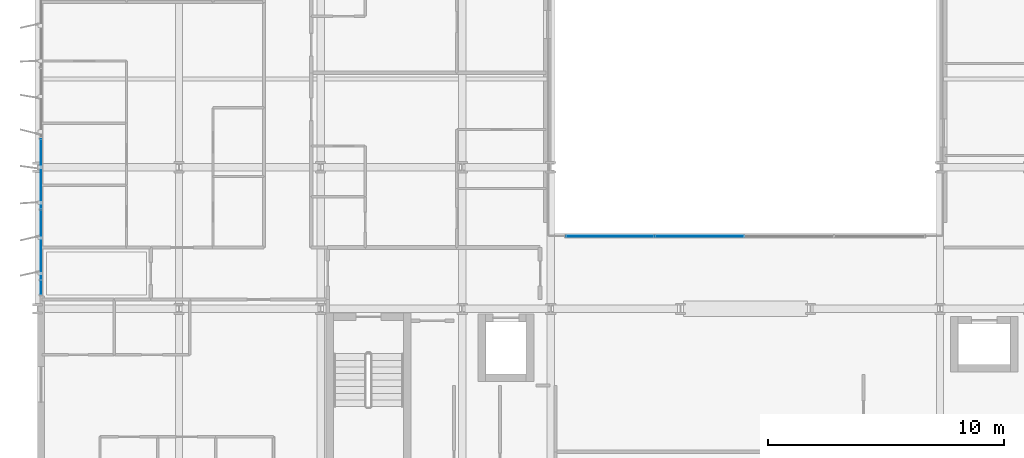
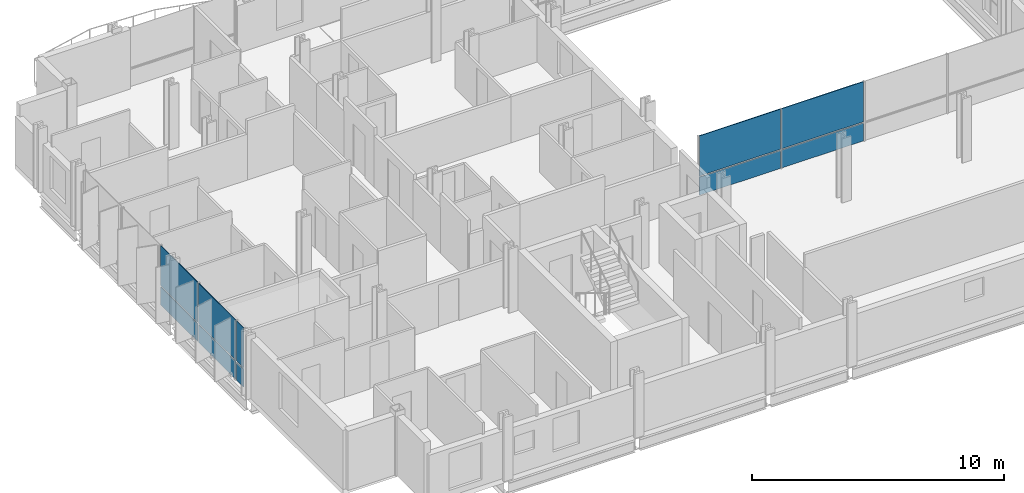
# One storey, part 22 of 38: 10 plates, 2 elements without a shape of their own.
"""IFC4 building model written with IfcOpenShell, lengths in metres."""

from ifc_helpers import new_model, si_unit, direction, frame, origin, origin_2d, place, context, subcontext, project, spatial, rectangle, extrude, material, layer, layer_set, type_object, element, aggregate, save


model = new_model("IFC4")

# Units and contexts
model_context = context("Model", 3, precision=1e-05, world=origin(), true_north=direction((0.0, 1.0)))
body_context = subcontext(model_context, "Body", "Model", "MODEL_VIEW")
ifc_project = project(units=[si_unit("LENGTHUNIT", "METRE"), si_unit("AREAUNIT", "SQUARE_METRE"), si_unit("VOLUMEUNIT", "CUBIC_METRE"), si_unit("PLANEANGLEUNIT", "RADIAN"), si_unit("MASSUNIT", "GRAM", prefix="KILO")], contexts=[model_context])

# Site, building, storey
site_placement = place(None, origin())
site = spatial("IfcSite", under=ifc_project, at=site_placement, CompositionType="ELEMENT")
building_placement = place(site_placement, origin())
building = spatial("IfcBuilding", under=site, at=building_placement, Name="Brevholm Reach", CompositionType="ELEMENT")
storey_placement = place(building_placement, frame((0.0, 0.0, 46.60009765625)))
storey = spatial("IfcBuildingStorey", under=building, at=storey_placement, Name="L12", CompositionType="ELEMENT", Elevation=46.60009765625)

# Curtain wall, plates
ifc_material_1 = material(Name="Dark Anodised Aluminium 6063-T6 and Solar-Control Glass", Category="aluminium")
ifc_layer_1 = layer(ifc_material_1, 0.14990234375)
ifc_layer_set_1 = layer_set([ifc_layer_1], Name="Dark Anodised Aluminium 6063-T6 and Solar-Control Glass")
curtain_wall_type_1 = type_object("IfcCurtainWallType", Name="CW-01", PredefinedType="NOTDEFINED", material=ifc_layer_set_1)
curtain_wall_1_placement = place(storey_placement, origin())
curtain_wall_1 = element("IfcCurtainWall", 1, at=curtain_wall_1_placement, inside=storey, type_object=curtain_wall_type_1, Name="L12 Curtain Wall CW-01", PredefinedType="NOTDEFINED")
ifc_material_2 = material(Name="Dark Solar-Control Double-Glazed IGU Glass", Category="glass")
ifc_layer_2 = layer(ifc_material_2, 0.028076171875)
ifc_layer_set_2 = layer_set([ifc_layer_2], Name="Dark Solar-Control Double-Glazed IGU Glass")
plate_type_1 = type_object("IfcPlateType", Name="CWP-GLZ-28", PredefinedType="CURTAIN_PANEL", material=ifc_layer_set_2)
plate_1_placement = place(storey_placement, frame((0.14990234375, 15.719970703125, 0.0), z_axis=(0.0, 0.0, 1.0), x_axis=(0.0, -1.0, 0.0)))
plate_1 = element("IfcPlate", 2, at=plate_1_placement, type_object=plate_type_1, Name="CP-01 Glazing Panel 3.1", PredefinedType="CURTAIN_PANEL", context=body_context, shape_type="SweptSolid", body=[
    extrude(rectangle(XDim=2.93505859375, YDim=0.028076171875, at=origin_2d()), origin(), (0.0, 0.0, 1.0), 0.867431640625),
])
plate_2_placement = place(storey_placement, frame((0.14990234375, 15.719970703125, 0.932373046875), z_axis=(0.0, 0.0, 1.0), x_axis=(0.0, -1.0, 0.0)))
plate_2 = element("IfcPlate", 3, at=plate_2_placement, type_object=plate_type_1, Name="CP-01 Glazing Panel 3.2", PredefinedType="CURTAIN_PANEL", context=body_context, shape_type="SweptSolid", body=[
    extrude(rectangle(XDim=2.93505859375, YDim=0.028076171875, at=origin_2d()), origin(), (0.0, 0.0, 1.0), 1.9375),
])
plate_3_placement = place(storey_placement, frame((0.14990234375, 12.719970703125, 0.0), z_axis=(0.0, 0.0, 1.0), x_axis=(0.0, -1.0, 0.0)))
plate_3 = element("IfcPlate", 4, at=plate_3_placement, type_object=plate_type_1, Name="CP-01 Glazing Panel 4.1", PredefinedType="CURTAIN_PANEL", context=body_context, shape_type="SweptSolid", body=[
    extrude(rectangle(XDim=2.93505859375, YDim=0.028076171875, at=origin_2d()), origin(), (0.0, 0.0, 1.0), 0.867431640625),
])
plate_4_placement = place(storey_placement, frame((0.14990234375, 12.719970703125, 0.932373046875), z_axis=(0.0, 0.0, 1.0), x_axis=(0.0, -1.0, 0.0)))
plate_4 = element("IfcPlate", 5, at=plate_4_placement, type_object=plate_type_1, Name="CP-01 Glazing Panel 4.2", PredefinedType="CURTAIN_PANEL", context=body_context, shape_type="SweptSolid", body=[
    extrude(rectangle(XDim=2.93505859375, YDim=0.028076171875, at=origin_2d()), origin(), (0.0, 0.0, 1.0), 1.9375),
])
plate_5_placement = place(storey_placement, frame((0.14990234375, 10.9013671875, 0.0), z_axis=(0.0, 0.0, 1.0), x_axis=(0.0, -1.0, 0.0)))
plate_5 = element("IfcPlate", 6, at=plate_5_placement, type_object=plate_type_1, Name="CP-01 Glazing Panel 5.1", PredefinedType="CURTAIN_PANEL", context=body_context, shape_type="SweptSolid", body=[
    extrude(rectangle(XDim=0.572509765625, YDim=0.028076171875, at=origin_2d()), origin(), (0.0, 0.0, 1.0), 0.867431640625),
])
plate_6_placement = place(storey_placement, frame((0.14990234375, 10.9013671875, 0.932373046875), z_axis=(0.0, 0.0, 1.0), x_axis=(0.0, -1.0, 0.0)))
plate_6 = element("IfcPlate", 7, at=plate_6_placement, type_object=plate_type_1, Name="CP-01 Glazing Panel 5.2", PredefinedType="CURTAIN_PANEL", context=body_context, shape_type="SweptSolid", body=[
    extrude(rectangle(XDim=0.572509765625, YDim=0.028076171875, at=origin_2d()), origin(), (0.0, 0.0, 1.0), 1.9375),
])
aggregate(curtain_wall_1, [plate_1, plate_2, plate_3, plate_4, plate_5, plate_6])

ifc_material_3 = material(Name="Dark Anodised Aluminium 6063-T6 and Solar-Control Glass", Category="aluminium")
ifc_layer_3 = layer(ifc_material_3, 0.139892578125)
ifc_layer_set_3 = layer_set([ifc_layer_3], Name="Dark Anodised Aluminium 6063-T6 and Solar-Control Glass")
curtain_wall_type_2 = type_object("IfcCurtainWallType", Name="CW-02", PredefinedType="NOTDEFINED", material=ifc_layer_set_3)
curtain_wall_2_placement = place(storey_placement, origin())
curtain_wall_2 = element("IfcCurtainWall", 8, at=curtain_wall_2_placement, inside=storey, type_object=curtain_wall_type_2, Name="L12 Curtain Wall CW-02", PredefinedType="NOTDEFINED")
ifc_material_4 = material(Name="Low-Iron Laminated Acoustic Glass", Category="glass")
ifc_layer_4 = layer(ifc_material_4, 0.035888671875)
ifc_layer_set_4 = layer_set([ifc_layer_4], Name="Low-Iron Laminated Acoustic Glass")
plate_type_2 = type_object("IfcPlateType", Name="CWP-GLZ-36", PredefinedType="CURTAIN_PANEL", material=ifc_layer_set_4)
plate_7_placement = place(storey_placement, frame((24.264892578125, 13.080078125, -0.000244140625), z_axis=(0.0, 0.0, 1.0), x_axis=(1.0, 0.0, 0.0)))
plate_7 = element("IfcPlate", 9, at=plate_7_placement, type_object=plate_type_2, Name="CP-02 Glazing Panel 1.1", PredefinedType="CURTAIN_PANEL", context=body_context, shape_type="SweptSolid", body=[
    extrude(rectangle(XDim=3.7099609375, YDim=0.035888671875, at=origin_2d()), origin(), (0.0, 0.0, 1.0), 0.8701171875),
])
plate_8_placement = place(storey_placement, frame((24.264892578125, 13.080078125, 0.929931640625), z_axis=(0.0, 0.0, 1.0), x_axis=(1.0, 0.0, 0.0)))
plate_8 = element("IfcPlate", 10, at=plate_8_placement, type_object=plate_type_2, Name="CP-02 Glazing Panel 1.2", PredefinedType="CURTAIN_PANEL", context=body_context, shape_type="SweptSolid", body=[
    extrude(rectangle(XDim=3.7099609375, YDim=0.035888671875, at=origin_2d()), origin(), (0.0, 0.0, 1.0), 1.93994140625),
])
plate_9_placement = place(storey_placement, frame((28.050048828125, 13.080078125, -0.000244140625), z_axis=(0.0, 0.0, 1.0), x_axis=(1.0, 0.0, 0.0)))
plate_9 = element("IfcPlate", 11, at=plate_9_placement, type_object=plate_type_2, Name="CP-02 Glazing Panel 2.1", PredefinedType="CURTAIN_PANEL", context=body_context, shape_type="SweptSolid", body=[
    extrude(rectangle(XDim=3.739990234375, YDim=0.035888671875, at=origin_2d()), origin(), (0.0, 0.0, 1.0), 0.8701171875),
])
plate_10_placement = place(storey_placement, frame((28.050048828125, 13.080078125, 0.929931640625), z_axis=(0.0, 0.0, 1.0), x_axis=(1.0, 0.0, 0.0)))
plate_10 = element("IfcPlate", 12, at=plate_10_placement, type_object=plate_type_2, Name="CP-02 Glazing Panel 2.2", PredefinedType="CURTAIN_PANEL", context=body_context, shape_type="SweptSolid", body=[
    extrude(rectangle(XDim=3.739990234375, YDim=0.035888671875, at=origin_2d()), origin(), (0.0, 0.0, 1.0), 1.93994140625),
])
aggregate(curtain_wall_2, [plate_7, plate_8, plate_9, plate_10])

save(model, "model.ifc")
